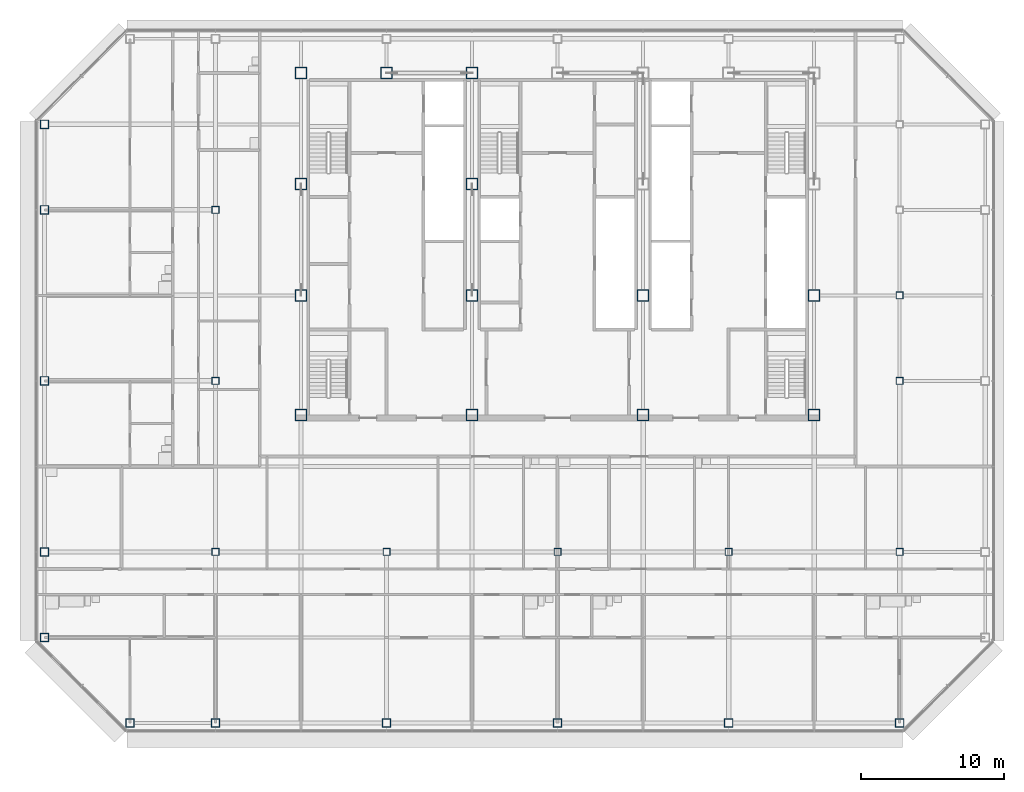
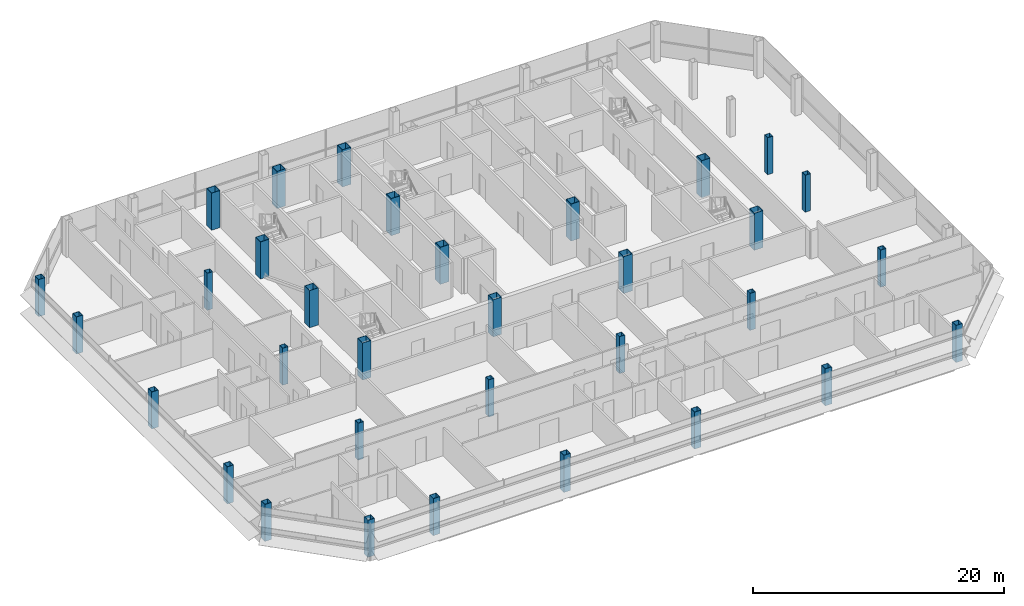
# One storey, part 1 of 28: 33 columns.
"""IFC4 building model written with IfcOpenShell, lengths in metres."""

from ifc_helpers import new_model, si_unit, direction, frame, origin, origin_2d, place, context, subcontext, project, spatial, hollow_rectangle, extrude, material, material_profile, profile_set, type_object, element, save


model = new_model("IFC4")

# Units and contexts
model_context = context("Model", 3, precision=1e-05, world=origin(), true_north=direction((0.0, 1.0)))
body_context = subcontext(model_context, "Body", "Model", "MODEL_VIEW")
ifc_project = project(units=[si_unit("LENGTHUNIT", "METRE"), si_unit("AREAUNIT", "SQUARE_METRE"), si_unit("VOLUMEUNIT", "CUBIC_METRE"), si_unit("PLANEANGLEUNIT", "RADIAN"), si_unit("MASSUNIT", "GRAM", prefix="KILO")], contexts=[model_context])

# Site, building, storey
site_placement = place(None, origin())
site = spatial("IfcSite", under=ifc_project, at=site_placement, CompositionType="ELEMENT")
building_placement = place(site_placement, origin())
building = spatial("IfcBuilding", under=site, at=building_placement, Name="Sorahane Residences", CompositionType="ELEMENT")
storey_placement = place(building_placement, frame((0.0, 0.0, 273.800048828125)))
storey = spatial("IfcBuildingStorey", under=building, at=storey_placement, Name="L65", CompositionType="ELEMENT", Elevation=273.800048828125)

# Columns
ifc_material_1 = material(Name="Steel Q355B", Category="steel")
ifc_material_profile_1 = material_profile(ifc_material_1, hollow_rectangle(XDim=0.5, YDim=0.5, WallThickness=0.02490234375, at=origin_2d()), Name="BOX 500x500x25")
ifc_profile_set_1 = profile_set([ifc_material_profile_1], Name="Steel Q355B")
column_type_1 = type_object("IfcColumnType", Name="Steel box column BOX 500x500x25 Q355B", PredefinedType="COLUMN", material=ifc_profile_set_1)
for number, where, z_axis, x_axis, name in (
    (1, (0.0, 12.0, 0.0), (0.0, 0.0, 1.0), (1.0, 0.0, 0.0), "Column L65 0/12"),
    (2, (0.0, 24.0, 0.0), (0.0, 0.0, 1.0), (1.0, 0.0, 0.0), "Column L65 0/24"),
    (3, (0.0, 36.0, 0.0), (0.0, 0.0, 1.0), (1.0, 0.0, 0.0), "Column L65 0/36"),
    (4, (12.0, 12.0, 0.0), (0.0, 0.0, 1.0), (1.0, 0.0, 0.0), "Column L65 12/12"),
    (5, (24.0, 12.0, 0.0), (0.0, 0.0, 1.0), (1.0, 0.0, 0.0), "Column L65 24/12"),
    (6, (36.0, 12.0, 0.0), (0.0, 0.0, 1.0), (1.0, 0.0, 0.0), "Column L65 36/12"),
    (7, (48.0, 12.0, 0.0), (0.0, 0.0, 1.0), (1.0, 0.0, 0.0), "Column L65 48/12"),
    (8, (48.0, 24.0, 0.0), (0.0, 0.0, 1.0), (1.0, 0.0, 0.0), "Column L65 48/24"),
    (9, (48.0, 30.0, 0.0), (0.0, 0.0, 1.0), (1.0, 0.0, 0.0), "Column L65 48/30"),
):
    element("IfcColumn", number, at=place(storey_placement, frame(where, z_axis=z_axis, x_axis=x_axis)), inside=storey, type_object=column_type_1, Name=name, PredefinedType="COLUMN", context=body_context, shape_type="SweptSolid", body=[
        extrude(hollow_rectangle(XDim=0.5, YDim=0.5, WallThickness=0.02490234375, at=origin_2d()), origin(), (0.0, 0.0, 1.0), 3.599853515625),
    ])
ifc_material_2 = material(Name="Steel Q355B", Category="steel")
ifc_material_profile_2 = material_profile(ifc_material_2, hollow_rectangle(XDim=0.60009765625, YDim=0.60009765625, WallThickness=0.028076171875, at=origin_2d()), Name="BOX 600x600x28")
ifc_profile_set_2 = profile_set([ifc_material_profile_2], Name="Steel Q355B")
column_type_2 = type_object("IfcColumnType", Name="Steel box column BOX 600x600x28 Q355B", PredefinedType="COLUMN", material=ifc_profile_set_2)
for number, where, z_axis, x_axis, name in (
    (10, (-12.0, 6.0, 0.0), (0.0, 0.0, 1.0), (1.0, 0.0, 0.0), "Column L65 m12/6"),
    (11, (-12.0, 12.0, 0.0), (0.0, 0.0, 1.0), (1.0, 0.0, 0.0), "Column L65 m12/12"),
    (12, (-12.0, 24.0, 0.0), (0.0, 0.0, 1.0), (1.0, 0.0, 0.0), "Column L65 m12/24"),
    (13, (-12.0, 36.0, 0.0), (0.0, 0.0, 1.0), (1.0, 0.0, 0.0), "Column L65 m12/36"),
    (14, (-12.0, 42.0, 0.0), (0.0, 0.0, 1.0), (1.0, 0.0, 0.0), "Column L65 m12/42"),
    (15, (-6.0, 0.0, 0.0), (0.0, 0.0, 1.0), (1.0, 0.0, 0.0), "Column L65 m6/0"),
    (16, (0.0, 0.0, 0.0), (0.0, 0.0, 1.0), (1.0, 0.0, 0.0), "Column L65 0/0"),
    (17, (12.0, 0.0, 0.0), (0.0, 0.0, 1.0), (1.0, 0.0, 0.0), "Column L65 12/0"),
    (18, (24.0, 0.0, 0.0), (0.0, 0.0, 1.0), (1.0, 0.0, 0.0), "Column L65 24/0"),
    (19, (36.0, 0.0, 0.0), (0.0, 0.0, 1.0), (1.0, 0.0, 0.0), "Column L65 36/0"),
    (20, (48.0, 0.0, 0.0), (0.0, 0.0, 1.0), (1.0, 0.0, 0.0), "Column L65 48/0"),
):
    element("IfcColumn", number, at=place(storey_placement, frame(where, z_axis=z_axis, x_axis=x_axis)), inside=storey, type_object=column_type_2, Name=name, PredefinedType="COLUMN", context=body_context, shape_type="SweptSolid", body=[
        extrude(hollow_rectangle(XDim=0.60009765625, YDim=0.60009765625, WallThickness=0.028076171875, at=origin_2d()), origin(), (0.0, 0.0, 1.0), 3.599853515625),
    ])
ifc_material_3 = material(Name="Steel Q355B", Category="steel")
ifc_material_profile_3 = material_profile(ifc_material_3, hollow_rectangle(XDim=0.800048828125, YDim=0.800048828125, WallThickness=0.031982421875, at=origin_2d()), Name="BOX 800x800x32")
ifc_profile_set_3 = profile_set([ifc_material_profile_3], Name="Steel Q355B")
column_type_3 = type_object("IfcColumnType", Name="Steel box column BOX 800x800x32 Q355B", PredefinedType="COLUMN", material=ifc_profile_set_3)
for number, where, z_axis, x_axis, name in (
    (21, (6.0, 21.60009765625, 0.0), (0.0, 0.0, 1.0), (1.0, 0.0, 0.0), "Column L65 6/21.6"),
    (22, (6.0, 30.0, 0.0), (0.0, 0.0, 1.0), (1.0, 0.0, 0.0), "Column L65 6/30"),
    (23, (6.0, 37.800048828125, 0.0), (0.0, 0.0, 1.0), (1.0, 0.0, 0.0), "Column L65 6/37.8"),
    (24, (6.0, 45.60009765625, 0.0), (0.0, 0.0, 1.0), (1.0, 0.0, 0.0), "Column L65 6/45.6"),
    (25, (12.0, 45.60009765625, 0.0), (0.0, 0.0, 1.0), (1.0, 0.0, 0.0), "Column L65 12/45.6"),
    (26, (18.0, 21.60009765625, 0.0), (0.0, 0.0, 1.0), (1.0, 0.0, 0.0), "Column L65 18/21.6"),
    (27, (18.0, 30.0, 0.0), (0.0, 0.0, 1.0), (1.0, 0.0, 0.0), "Column L65 18/30"),
    (28, (18.0, 37.800048828125, 0.0), (0.0, 0.0, 1.0), (1.0, 0.0, 0.0), "Column L65 18/37.8"),
    (29, (18.0, 45.60009765625, 0.0), (0.0, 0.0, 1.0), (1.0, 0.0, 0.0), "Column L65 18/45.6"),
    (30, (30.0, 21.60009765625, 0.0), (0.0, 0.0, 1.0), (1.0, 0.0, 0.0), "Column L65 30/21.6"),
    (31, (30.0, 30.0, 0.0), (0.0, 0.0, 1.0), (1.0, 0.0, 0.0), "Column L65 30/30"),
    (32, (42.0, 21.60009765625, 0.0), (0.0, 0.0, 1.0), (1.0, 0.0, 0.0), "Column L65 42/21.6"),
    (33, (42.0, 30.0, 0.0), (0.0, 0.0, 1.0), (1.0, 0.0, 0.0), "Column L65 42/30"),
):
    element("IfcColumn", number, at=place(storey_placement, frame(where, z_axis=z_axis, x_axis=x_axis)), inside=storey, type_object=column_type_3, Name=name, PredefinedType="COLUMN", context=body_context, shape_type="SweptSolid", body=[
        extrude(hollow_rectangle(XDim=0.800048828125, YDim=0.800048828125, WallThickness=0.031982421875, at=origin_2d()), origin(), (0.0, 0.0, 1.0), 3.599853515625),
    ])

save(model, "model.ifc")
